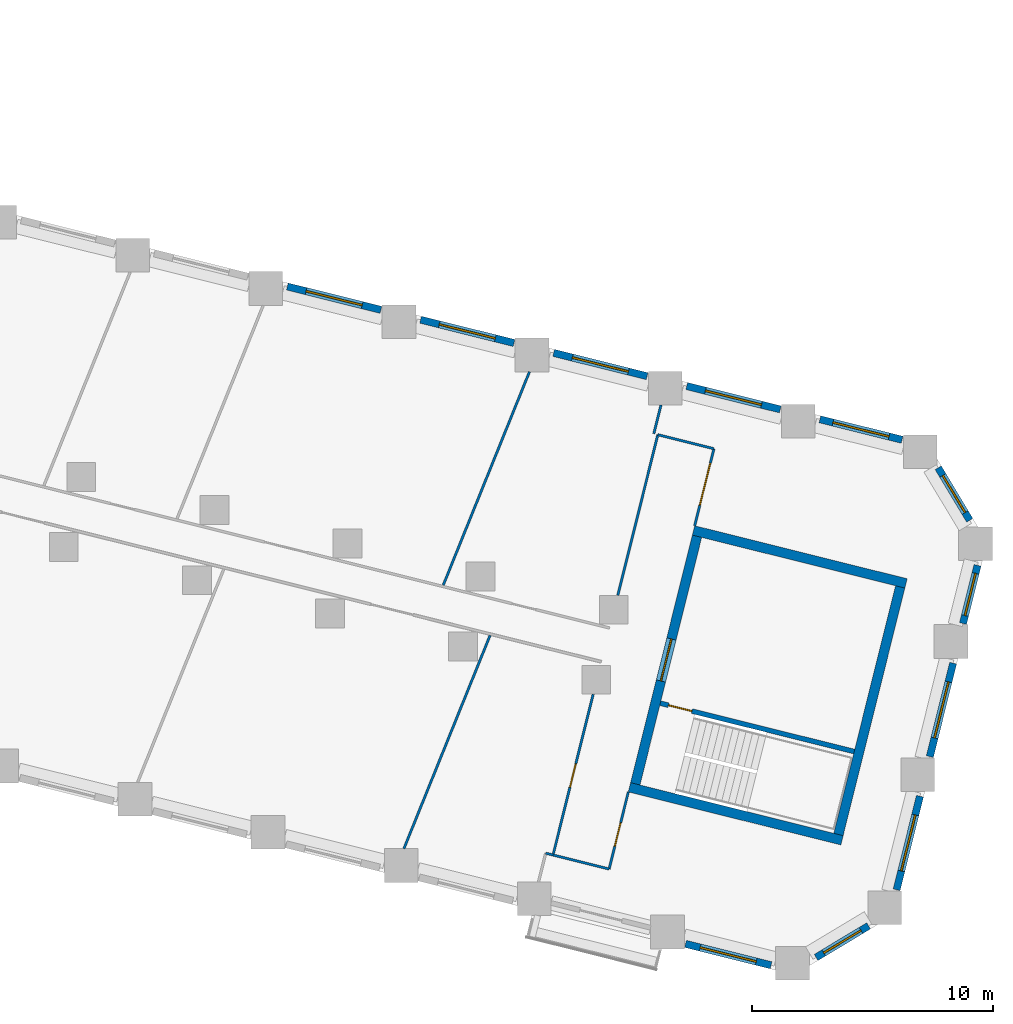
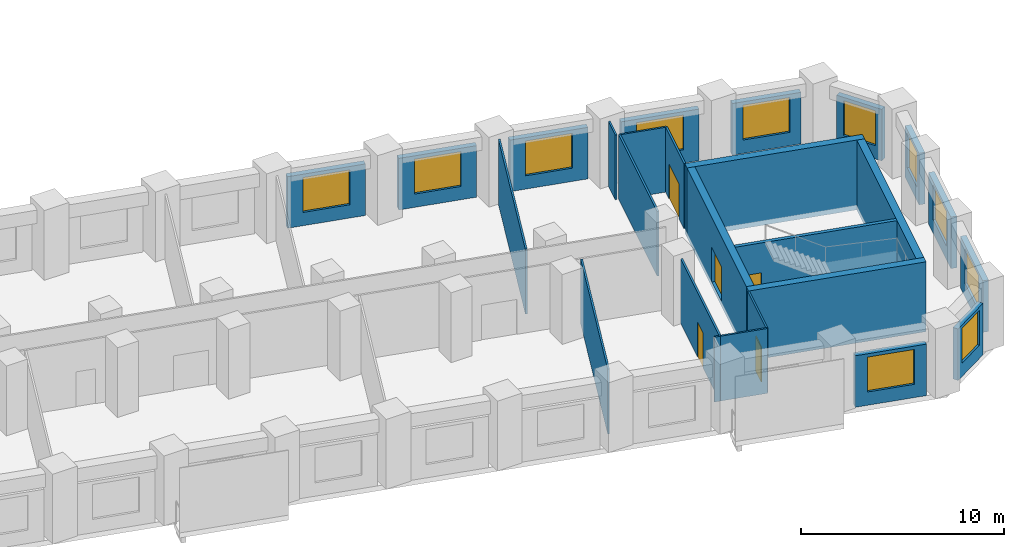
# One storey, part 7 of 11: 26 walls, 11 windows, 5 doors, 16 openings.
"""IFC4 building model written with IfcOpenShell, lengths in metres."""

from ifc_helpers import new_model, si_unit, direction, frame, frame_2d, origin, place, context, subcontext, project, spatial, rectangle, extrude, material, layer, layer_set, type_object, element, fill, save


model = new_model("IFC4")

# Units and contexts
model_context = context("Model", 3, precision=1e-05, world=origin(), true_north=direction((0.0, 1.0)))
body_context = subcontext(model_context, "Body", "Model", "MODEL_VIEW")
ifc_project = project(units=[si_unit("LENGTHUNIT", "METRE"), si_unit("AREAUNIT", "SQUARE_METRE"), si_unit("VOLUMEUNIT", "CUBIC_METRE"), si_unit("PLANEANGLEUNIT", "RADIAN"), si_unit("MASSUNIT", "GRAM", prefix="KILO")], contexts=[model_context])

# Site, building, storey
site_placement = place(None, origin())
site = spatial("IfcSite", under=ifc_project, at=site_placement, CompositionType="ELEMENT")
building_placement = place(site_placement, origin())
building = spatial("IfcBuilding", under=site, at=building_placement, Name="Meshkara Civic Tower", CompositionType="ELEMENT")
storey_placement = place(building_placement, frame((0.0, 0.0, 37.199951171875)))
storey = spatial("IfcBuildingStorey", under=building, at=storey_placement, Name="L07", CompositionType="ELEMENT", Elevation=37.199951171875)

# Wall
ifc_material_1 = material(Name="Corridor wall 100")
ifc_layer_1 = layer(ifc_material_1, 0.10009765625)
ifc_layer_set_1 = layer_set([ifc_layer_1], Name="Corridor wall 100")
wall_type_1 = type_object("IfcWallType", Name="Corridor wall 100", PredefinedType="PARTITIONING", material=ifc_layer_set_1)
wall_1_placement = place(storey_placement, frame((72.93603515625, -15.7109375, 0.0), z_axis=(0.0, 0.0, 1.0), x_axis=(0.970232217337, -0.242176473756, 0.0)))
element("IfcWall", 1, at=wall_1_placement, inside=storey, type_object=wall_type_1, Name="L07-W025", PredefinedType="PARTITIONING", context=body_context, shape_type="SweptSolid", body=[
    extrude(rectangle(XDim=2.3994140625, YDim=0.10009765625, at=frame_2d((1.19970703125, 0.0))), origin(), (0.0, 0.0, 1.0), 3.900146484375),
])

# Wall, opening, door
wall_2_placement = place(storey_placement, frame((74.60205078125, -9.029052734375, 0.0), z_axis=(0.0, 0.0, 1.0), x_axis=(-0.241926631527, -0.970294545465, 0.0)))
wall_2 = element("IfcWall", 2, at=wall_2_placement, inside=storey, type_object=wall_type_1, Name="L07-W026", PredefinedType="PARTITIONING", context=body_context, shape_type="SweptSolid", body=[
    extrude(rectangle(XDim=6.886474609375, YDim=0.10009765625, at=frame_2d((3.443359375, 0.0))), origin(), (0.0, 0.0, 1.0), 3.900146484375),
])
opening_1_placement = place(wall_2_placement, frame((2.97998046875, 0.0, 0.0)))
opening_1 = element("IfcOpeningElement", 3, at=opening_1_placement, cuts=wall_2, Name="Opening L07-D001", PredefinedType="OPENING", context=body_context, shape_type="SweptSolid", body=[
    extrude(rectangle(XDim=1.0, YDim=2.10009765625, at=frame_2d((0.5, 1.050048828125))), frame((0.0, 0.06005859375, 0.0), z_axis=(0.0, -1.0, 0.0), x_axis=(1.0, 0.0, 0.0)), (0.0, 0.0, 1.0), 0.1201171875),
])
ifc_material_2 = material(Name="Door 1000 x 2100")
door_type_1 = type_object("IfcDoorType", Name="Door 1000 x 2100", OperationType="SINGLE_SWING_LEFT", PredefinedType="DOOR", material=ifc_material_2)
door_1_placement = place(opening_1_placement, origin())
door_1 = element("IfcDoor", 4, at=door_1_placement, inside=storey, type_object=door_type_1, Name="L07-D001", OperationType="SINGLE_SWING_LEFT", OverallHeight=2.10009765625, OverallWidth=1.0, PredefinedType="DOOR", context=body_context, shape_type="SweptSolid", body=[
    extrude(rectangle(XDim=1.0, YDim=2.10009765625, at=frame_2d((0.5, 1.050048828125))), frame((0.0, 0.02490234375, 0.0), z_axis=(0.0, -1.0, 0.0), x_axis=(1.0, 0.0, 0.0)), (0.0, 0.0, 1.0), 0.050048828125),
])
fill(opening_1, door_1)

wall_3_placement = place(storey_placement, frame((75.263916015625, -16.2919921875, 0.0), z_axis=(0.0, 0.0, 1.0), x_axis=(0.242135244173, 0.970242507587, 0.0)))
wall_3 = element("IfcWall", 5, at=wall_3_placement, inside=storey, type_object=wall_type_1, Name="L07-W027", PredefinedType="PARTITIONING", context=body_context, shape_type="SweptSolid", body=[
    extrude(rectangle(XDim=3.300048828125, YDim=0.10009765625, at=frame_2d((1.64990234375, 0.0))), origin(), (0.0, 0.0, 1.0), 3.900146484375),
])
opening_2_placement = place(wall_3_placement, frame((0.97998046875, 0.0, 0.0)))
opening_2 = element("IfcOpeningElement", 6, at=opening_2_placement, cuts=wall_3, Name="Opening L07-D002", PredefinedType="OPENING", context=body_context, shape_type="SweptSolid", body=[
    extrude(rectangle(XDim=1.0, YDim=2.10009765625, at=frame_2d((0.5, 1.050048828125))), frame((0.0, 0.06005859375, 0.0), z_axis=(0.0, -1.0, 0.0), x_axis=(1.0, 0.0, 0.0)), (0.0, 0.0, 1.0), 0.1201171875),
])
door_2_placement = place(opening_2_placement, origin())
door_2 = element("IfcDoor", 7, at=door_2_placement, inside=storey, type_object=door_type_1, Name="L07-D002", OperationType="SINGLE_SWING_RIGHT", OverallHeight=2.10009765625, OverallWidth=1.0, PredefinedType="DOOR", context=body_context, shape_type="SweptSolid", body=[
    extrude(rectangle(XDim=1.0, YDim=2.10009765625, at=frame_2d((0.5, 1.050048828125))), frame((0.0, 0.02490234375, 0.0), z_axis=(0.0, -1.0, 0.0), x_axis=(1.0, 0.0, 0.0)), (0.0, 0.0, 1.0), 0.050048828125),
])
fill(opening_2, door_2)

# Wall
wall_4_placement = place(storey_placement, frame((77.2900390625, 1.75390625, 0.0), z_axis=(0.0, 0.0, 1.0), x_axis=(-0.241867218289, -0.970309357224, 0.0)))
element("IfcWall", 8, at=wall_4_placement, inside=storey, type_object=wall_type_1, Name="L07-W028", PredefinedType="PARTITIONING", context=body_context, shape_type="SweptSolid", body=[
    extrude(rectangle(XDim=6.8759765625, YDim=0.10009765625, at=frame_2d((3.43798828125, 0.0))), origin(), (0.0, 0.0, 1.0), 3.900146484375),
])

# Wall, opening, door
wall_5_placement = place(storey_placement, frame((78.821044921875, -2.029052734375, 0.0), z_axis=(0.0, 0.0, 1.0), x_axis=(0.241769629392, 0.970333677816, 0.0)))
wall_5 = element("IfcWall", 9, at=wall_5_placement, inside=storey, type_object=wall_type_1, Name="L07-W029", PredefinedType="PARTITIONING", context=body_context, shape_type="SweptSolid", body=[
    extrude(rectangle(XDim=3.300048828125, YDim=0.10009765625, at=frame_2d((1.64990234375, 0.0))), origin(), (0.0, 0.0, 1.0), 3.900146484375),
])
opening_3_placement = place(wall_5_placement, frame((0.8798828125, 0.0, 0.0)))
opening_3 = element("IfcOpeningElement", 10, at=opening_3_placement, cuts=wall_5, Name="Opening L07-D009", PredefinedType="OPENING", context=body_context, shape_type="SweptSolid", body=[
    extrude(rectangle(XDim=1.800048828125, YDim=2.10009765625, at=frame_2d((0.89990234375, 1.050048828125))), frame((0.0, 0.06005859375, 0.0), z_axis=(0.0, -1.0, 0.0), x_axis=(1.0, 0.0, 0.0)), (0.0, 0.0, 1.0), 0.1201171875),
])
ifc_material_3 = material(Name="Door pair 1800 x 2100")
door_type_2 = type_object("IfcDoorType", Name="Door pair 1800 x 2100", OperationType="SINGLE_SWING_LEFT", PredefinedType="DOOR", material=ifc_material_3)
door_3_placement = place(opening_3_placement, origin())
door_3 = element("IfcDoor", 11, at=door_3_placement, inside=storey, type_object=door_type_2, Name="L07-D009", OperationType="DOUBLE_DOOR_SINGLE_SWING", OverallHeight=2.10009765625, OverallWidth=1.800048828125, PredefinedType="DOOR", context=body_context, shape_type="SweptSolid", body=[
    extrude(rectangle(XDim=1.800048828125, YDim=2.10009765625, at=frame_2d((0.89990234375, 1.050048828125))), frame((0.0, 0.02490234375, 0.0), z_axis=(0.0, -1.0, 0.0), x_axis=(1.0, 0.0, 0.0)), (0.0, 0.0, 1.0), 0.050048828125),
])
fill(opening_3, door_3)

# Wall
wall_6_placement = place(storey_placement, frame((79.618896484375, 1.173095703125, 0.0), z_axis=(0.0, 0.0, 1.0), x_axis=(-0.970279961304, 0.241985116673, 0.0)))
element("IfcWall", 12, at=wall_6_placement, inside=storey, type_object=wall_type_1, Name="L07-W030", PredefinedType="PARTITIONING", context=body_context, shape_type="SweptSolid", body=[
    extrude(rectangle(XDim=2.400146484375, YDim=0.10009765625, at=frame_2d((1.2001953125, 0.0))), origin(), (0.0, 0.0, 1.0), 3.900146484375),
])

# Wall, opening, window
ifc_material_4 = material(Name="Insulated infill panel with bronze anodised aluminium cladding", Category="aluminium")
ifc_layer_2 = layer(ifc_material_4, 0.300048828125)
ifc_layer_set_2 = layer_set([ifc_layer_2], Name="EXTERNAL INFILL WALL 300")
wall_type_2 = type_object("IfcWallType", Name="EXTERNAL INFILL WALL 300", PredefinedType="SOLIDWALL", material=ifc_layer_set_2)
wall_7_placement = place(storey_placement, frame((87.43505859375, 1.54296875, 0.0), z_axis=(0.0, 0.0, 1.0), x_axis=(-0.970289298425, 0.241947674843, 0.0)))
wall_7 = element("IfcWall", 13, at=wall_7_placement, inside=storey, type_object=wall_type_2, Name="External wall", PredefinedType="SOLIDWALL", context=body_context, shape_type="SweptSolid", body=[
    extrude(rectangle(XDim=3.517578125, YDim=0.300048828125, at=frame_2d((1.7587890625, 0.0))), origin(), (0.0, 0.0, 1.0), 3.10009765625),
])
opening_4_placement = place(wall_7_placement, frame((0.55908203125, 0.0, 0.800048828125)))
opening_4 = element("IfcOpeningElement", 14, at=opening_4_placement, cuts=wall_7, Name="Opening W7", PredefinedType="OPENING", context=body_context, shape_type="SweptSolid", body=[
    extrude(rectangle(XDim=2.39990234375, YDim=2.10009765625, at=frame_2d((1.199951171875, 1.050048828125))), frame((0.0, 0.159912109375, 0.0), z_axis=(0.0, -1.0, 0.0), x_axis=(1.0, 0.0, 0.0)), (0.0, 0.0, 1.0), 0.320068359375),
])
ifc_material_5 = material(Name="Tinted double glazing", Category="glass")
window_type_1 = type_object("IfcWindowType", Name="WINDOW 2400x2100", PartitioningType="DOUBLE_PANEL_VERTICAL", PredefinedType="WINDOW", material=ifc_material_5)
window_1_placement = place(opening_4_placement, origin())
window_1 = element("IfcWindow", 15, at=window_1_placement, inside=storey, type_object=window_type_1, Name="Window", OverallHeight=2.10009765625, OverallWidth=2.39990234375, PartitioningType="DOUBLE_PANEL_VERTICAL", PredefinedType="WINDOW", context=body_context, shape_type="SweptSolid", body=[
    extrude(rectangle(XDim=2.39990234375, YDim=2.10009765625, at=frame_2d((1.199951171875, 1.050048828125))), frame((0.0, 0.030029296875, 0.0), z_axis=(0.0, -1.0, 0.0), x_axis=(1.0, 0.0, 0.0)), (0.0, 0.0, 1.0), 0.06005859375),
])
fill(opening_4, window_1)

wall_8_placement = place(storey_placement, frame((82.375, 2.804931640625, 0.0), z_axis=(0.0, 0.0, 1.0), x_axis=(-0.970318045095, 0.24183236211, 0.0)))
wall_8 = element("IfcWall", 16, at=wall_8_placement, inside=storey, type_object=wall_type_2, Name="External wall", PredefinedType="SOLIDWALL", context=body_context, shape_type="SweptSolid", body=[
    extrude(rectangle(XDim=4.0029296875, YDim=0.300048828125, at=frame_2d((2.00146484375, 0.0))), origin(), (0.0, 0.0, 1.0), 3.10009765625),
])
opening_5_placement = place(wall_8_placement, frame((0.802001953125, 0.0, 0.800048828125)))
opening_5 = element("IfcOpeningElement", 17, at=opening_5_placement, cuts=wall_8, Name="Opening W7", PredefinedType="OPENING", context=body_context, shape_type="SweptSolid", body=[
    extrude(rectangle(XDim=2.39990234375, YDim=2.10009765625, at=frame_2d((1.199951171875, 1.050048828125))), frame((0.0, 0.159912109375, 0.0), z_axis=(0.0, -1.0, 0.0), x_axis=(1.0, 0.0, 0.0)), (0.0, 0.0, 1.0), 0.320068359375),
])
window_2_placement = place(opening_5_placement, origin())
window_2 = element("IfcWindow", 18, at=window_2_placement, inside=storey, type_object=window_type_1, Name="Window", OverallHeight=2.10009765625, OverallWidth=2.39990234375, PartitioningType="DOUBLE_PANEL_VERTICAL", PredefinedType="WINDOW", context=body_context, shape_type="SweptSolid", body=[
    extrude(rectangle(XDim=2.39990234375, YDim=2.10009765625, at=frame_2d((1.199951171875, 1.050048828125))), frame((0.0, 0.030029296875, 0.0), z_axis=(0.0, -1.0, 0.0), x_axis=(1.0, 0.0, 0.0)), (0.0, 0.0, 1.0), 0.06005859375),
])
fill(opening_5, window_2)

wall_9_placement = place(storey_placement, frame((76.843994140625, 4.18408203125, 0.0), z_axis=(0.0, 0.0, 1.0), x_axis=(-0.970303772127, 0.241889623168, 0.0)))
wall_9 = element("IfcWall", 19, at=wall_9_placement, inside=storey, type_object=wall_type_2, Name="External wall", PredefinedType="SOLIDWALL", context=body_context, shape_type="SweptSolid", body=[
    extrude(rectangle(XDim=4.001953125, YDim=0.300048828125, at=frame_2d((2.0009765625, 0.0))), origin(), (0.0, 0.0, 1.0), 3.10009765625),
])
opening_6_placement = place(wall_9_placement, frame((0.801025390625, 0.0, 0.800048828125)))
opening_6 = element("IfcOpeningElement", 20, at=opening_6_placement, cuts=wall_9, Name="Opening W7", PredefinedType="OPENING", context=body_context, shape_type="SweptSolid", body=[
    extrude(rectangle(XDim=2.39990234375, YDim=2.10009765625, at=frame_2d((1.199951171875, 1.050048828125))), frame((0.0, 0.159912109375, 0.0), z_axis=(0.0, -1.0, 0.0), x_axis=(1.0, 0.0, 0.0)), (0.0, 0.0, 1.0), 0.320068359375),
])
window_3_placement = place(opening_6_placement, origin())
window_3 = element("IfcWindow", 21, at=window_3_placement, inside=storey, type_object=window_type_1, Name="Window", OverallHeight=2.10009765625, OverallWidth=2.39990234375, PartitioningType="DOUBLE_PANEL_VERTICAL", PredefinedType="WINDOW", context=body_context, shape_type="SweptSolid", body=[
    extrude(rectangle(XDim=2.39990234375, YDim=2.10009765625, at=frame_2d((1.199951171875, 1.050048828125))), frame((0.0, 0.030029296875, 0.0), z_axis=(0.0, -1.0, 0.0), x_axis=(1.0, 0.0, 0.0)), (0.0, 0.0, 1.0), 0.06005859375),
])
fill(opening_6, window_3)

wall_10_placement = place(storey_placement, frame((71.31396484375, 5.56298828125, 0.0), z_axis=(0.0, 0.0, 1.0), x_axis=(-0.970318045095, 0.24183236211, 0.0)))
wall_10 = element("IfcWall", 22, at=wall_10_placement, inside=storey, type_object=wall_type_2, Name="External wall", PredefinedType="SOLIDWALL", context=body_context, shape_type="SweptSolid", body=[
    extrude(rectangle(XDim=4.0029296875, YDim=0.300048828125, at=frame_2d((2.00146484375, 0.0))), origin(), (0.0, 0.0, 1.0), 3.10009765625),
])
opening_7_placement = place(wall_10_placement, frame((0.802001953125, 0.0, 0.800048828125)))
opening_7 = element("IfcOpeningElement", 23, at=opening_7_placement, cuts=wall_10, Name="Opening W7", PredefinedType="OPENING", context=body_context, shape_type="SweptSolid", body=[
    extrude(rectangle(XDim=2.39990234375, YDim=2.10009765625, at=frame_2d((1.199951171875, 1.050048828125))), frame((0.0, 0.159912109375, 0.0), z_axis=(0.0, -1.0, 0.0), x_axis=(1.0, 0.0, 0.0)), (0.0, 0.0, 1.0), 0.320068359375),
])
window_4_placement = place(opening_7_placement, origin())
window_4 = element("IfcWindow", 24, at=window_4_placement, inside=storey, type_object=window_type_1, Name="Window", OverallHeight=2.10009765625, OverallWidth=2.39990234375, PartitioningType="DOUBLE_PANEL_VERTICAL", PredefinedType="WINDOW", context=body_context, shape_type="SweptSolid", body=[
    extrude(rectangle(XDim=2.39990234375, YDim=2.10009765625, at=frame_2d((1.199951171875, 1.050048828125))), frame((0.0, 0.030029296875, 0.0), z_axis=(0.0, -1.0, 0.0), x_axis=(1.0, 0.0, 0.0)), (0.0, 0.0, 1.0), 0.06005859375),
])
fill(opening_7, window_4)

wall_11_placement = place(storey_placement, frame((65.782958984375, 6.94189453125, 0.0), z_axis=(0.0, 0.0, 1.0), x_axis=(-0.970318045095, 0.24183236211, 0.0)))
wall_11 = element("IfcWall", 25, at=wall_11_placement, inside=storey, type_object=wall_type_2, Name="External wall", PredefinedType="SOLIDWALL", context=body_context, shape_type="SweptSolid", body=[
    extrude(rectangle(XDim=4.0029296875, YDim=0.300048828125, at=frame_2d((2.00146484375, 0.0))), origin(), (0.0, 0.0, 1.0), 3.10009765625),
])
opening_8_placement = place(wall_11_placement, frame((0.802001953125, 0.0, 0.800048828125)))
opening_8 = element("IfcOpeningElement", 26, at=opening_8_placement, cuts=wall_11, Name="Opening W7", PredefinedType="OPENING", context=body_context, shape_type="SweptSolid", body=[
    extrude(rectangle(XDim=2.39990234375, YDim=2.10009765625, at=frame_2d((1.199951171875, 1.050048828125))), frame((0.0, 0.159912109375, 0.0), z_axis=(0.0, -1.0, 0.0), x_axis=(1.0, 0.0, 0.0)), (0.0, 0.0, 1.0), 0.320068359375),
])
window_5_placement = place(opening_8_placement, origin())
window_5 = element("IfcWindow", 27, at=window_5_placement, inside=storey, type_object=window_type_1, Name="Window", OverallHeight=2.10009765625, OverallWidth=2.39990234375, PartitioningType="DOUBLE_PANEL_VERTICAL", PredefinedType="WINDOW", context=body_context, shape_type="SweptSolid", body=[
    extrude(rectangle(XDim=2.39990234375, YDim=2.10009765625, at=frame_2d((1.199951171875, 1.050048828125))), frame((0.0, 0.030029296875, 0.0), z_axis=(0.0, -1.0, 0.0), x_axis=(1.0, 0.0, 0.0)), (0.0, 0.0, 1.0), 0.06005859375),
])
fill(opening_8, window_5)

wall_12_placement = place(storey_placement, frame((78.43994140625, -19.402099609375, 0.0), z_axis=(0.0, 0.0, 1.0), x_axis=(0.970271818873, -0.24201776278, 0.0)))
wall_12 = element("IfcWall", 28, at=wall_12_placement, inside=storey, type_object=wall_type_2, Name="External wall", PredefinedType="SOLIDWALL", context=body_context, shape_type="SweptSolid", body=[
    extrude(rectangle(XDim=3.660888671875, YDim=0.300048828125, at=frame_2d((1.83056640625, 0.0))), origin(), (0.0, 0.0, 1.0), 3.10009765625),
])
opening_9_placement = place(wall_12_placement, frame((0.6298828125, 0.0, 0.800048828125)))
opening_9 = element("IfcOpeningElement", 29, at=opening_9_placement, cuts=wall_12, Name="Opening W7", PredefinedType="OPENING", context=body_context, shape_type="SweptSolid", body=[
    extrude(rectangle(XDim=2.39990234375, YDim=2.10009765625, at=frame_2d((1.199951171875, 1.050048828125))), frame((0.0, 0.159912109375, 0.0), z_axis=(0.0, -1.0, 0.0), x_axis=(1.0, 0.0, 0.0)), (0.0, 0.0, 1.0), 0.320068359375),
])
window_6_placement = place(opening_9_placement, origin())
window_6 = element("IfcWindow", 30, at=window_6_placement, inside=storey, type_object=window_type_1, Name="Window", OverallHeight=2.10009765625, OverallWidth=2.39990234375, PartitioningType="DOUBLE_PANEL_VERTICAL", PredefinedType="WINDOW", context=body_context, shape_type="SweptSolid", body=[
    extrude(rectangle(XDim=2.39990234375, YDim=2.10009765625, at=frame_2d((1.199951171875, 1.050048828125))), frame((0.0, 0.030029296875, 0.0), z_axis=(0.0, -1.0, 0.0), x_axis=(1.0, 0.0, 0.0)), (0.0, 0.0, 1.0), 0.06005859375),
])
fill(opening_9, window_6)

wall_13_placement = place(storey_placement, frame((83.865966796875, -19.965087890625, 0.0), z_axis=(0.0, 0.0, 1.0), x_axis=(0.857026568426, 0.515272220299, 0.0)))
wall_13 = element("IfcWall", 31, at=wall_13_placement, inside=storey, type_object=wall_type_2, Name="External wall", PredefinedType="SOLIDWALL", context=body_context, shape_type="SweptSolid", body=[
    extrude(rectangle(XDim=2.54248046875, YDim=0.300048828125, at=frame_2d((1.271240234375, 0.0))), origin(), (0.0, 0.0, 1.0), 3.10009765625),
])
opening_10_placement = place(wall_13_placement, frame((0.37109375, 0.0, 0.800048828125)))
opening_10 = element("IfcOpeningElement", 32, at=opening_10_placement, cuts=wall_13, Name="Opening W9", PredefinedType="OPENING", context=body_context, shape_type="SweptSolid", body=[
    extrude(rectangle(XDim=1.800048828125, YDim=2.10009765625, at=frame_2d((0.89990234375, 1.050048828125))), frame((0.0, 0.159912109375, 0.0), z_axis=(0.0, -1.0, 0.0), x_axis=(1.0, 0.0, 0.0)), (0.0, 0.0, 1.0), 0.320068359375),
])
ifc_material_6 = material(Name="Tinted double glazing", Category="glass")
window_type_2 = type_object("IfcWindowType", Name="WINDOW 1800x2100", PartitioningType="DOUBLE_PANEL_VERTICAL", PredefinedType="WINDOW", material=ifc_material_6)
window_7_placement = place(opening_10_placement, origin())
window_7 = element("IfcWindow", 33, at=window_7_placement, inside=storey, type_object=window_type_2, Name="Window", OverallHeight=2.10009765625, OverallWidth=1.800048828125, PartitioningType="DOUBLE_PANEL_VERTICAL", PredefinedType="WINDOW", context=body_context, shape_type="SweptSolid", body=[
    extrude(rectangle(XDim=1.800048828125, YDim=2.10009765625, at=frame_2d((0.89990234375, 1.050048828125))), frame((0.0, 0.030029296875, 0.0), z_axis=(0.0, -1.0, 0.0), x_axis=(1.0, 0.0, 0.0)), (0.0, 0.0, 1.0), 0.06005859375),
])
fill(opening_10, window_7)

wall_14_placement = place(storey_placement, frame((87.2109375, -17.152099609375, 0.0), z_axis=(0.0, 0.0, 1.0), x_axis=(0.24183236211, 0.970318045095, 0.0)))
wall_14 = element("IfcWall", 34, at=wall_14_placement, inside=storey, type_object=wall_type_2, Name="External wall", PredefinedType="SOLIDWALL", context=body_context, shape_type="SweptSolid", body=[
    extrude(rectangle(XDim=4.0029296875, YDim=0.300048828125, at=frame_2d((2.00146484375, 0.0))), origin(), (0.0, 0.0, 1.0), 3.10009765625),
])
opening_11_placement = place(wall_14_placement, frame((0.802001953125, 0.0, 0.800048828125)))
opening_11 = element("IfcOpeningElement", 35, at=opening_11_placement, cuts=wall_14, Name="Opening W7", PredefinedType="OPENING", context=body_context, shape_type="SweptSolid", body=[
    extrude(rectangle(XDim=2.39990234375, YDim=2.10009765625, at=frame_2d((1.199951171875, 1.050048828125))), frame((0.0, 0.159912109375, 0.0), z_axis=(0.0, -1.0, 0.0), x_axis=(1.0, 0.0, 0.0)), (0.0, 0.0, 1.0), 0.320068359375),
])
window_8_placement = place(opening_11_placement, origin())
window_8 = element("IfcWindow", 36, at=window_8_placement, inside=storey, type_object=window_type_1, Name="Window", OverallHeight=2.10009765625, OverallWidth=2.39990234375, PartitioningType="DOUBLE_PANEL_VERTICAL", PredefinedType="WINDOW", context=body_context, shape_type="SweptSolid", body=[
    extrude(rectangle(XDim=2.39990234375, YDim=2.10009765625, at=frame_2d((1.199951171875, 1.050048828125))), frame((0.0, 0.030029296875, 0.0), z_axis=(0.0, -1.0, 0.0), x_axis=(1.0, 0.0, 0.0)), (0.0, 0.0, 1.0), 0.06005859375),
])
fill(opening_11, window_8)

wall_15_placement = place(storey_placement, frame((88.590087890625, -11.62109375, 0.0), z_axis=(0.0, 0.0, 1.0), x_axis=(0.241889623168, 0.970303772127, 0.0)))
wall_15 = element("IfcWall", 37, at=wall_15_placement, inside=storey, type_object=wall_type_2, Name="External wall", PredefinedType="SOLIDWALL", context=body_context, shape_type="SweptSolid", body=[
    extrude(rectangle(XDim=4.001953125, YDim=0.300048828125, at=frame_2d((2.0009765625, 0.0))), origin(), (0.0, 0.0, 1.0), 3.10009765625),
])
opening_12_placement = place(wall_15_placement, frame((0.801025390625, 0.0, 0.800048828125)))
opening_12 = element("IfcOpeningElement", 38, at=opening_12_placement, cuts=wall_15, Name="Opening W7", PredefinedType="OPENING", context=body_context, shape_type="SweptSolid", body=[
    extrude(rectangle(XDim=2.39990234375, YDim=2.10009765625, at=frame_2d((1.199951171875, 1.050048828125))), frame((0.0, 0.159912109375, 0.0), z_axis=(0.0, -1.0, 0.0), x_axis=(1.0, 0.0, 0.0)), (0.0, 0.0, 1.0), 0.320068359375),
])
window_9_placement = place(opening_12_placement, origin())
window_9 = element("IfcWindow", 39, at=window_9_placement, inside=storey, type_object=window_type_1, Name="Window", OverallHeight=2.10009765625, OverallWidth=2.39990234375, PartitioningType="DOUBLE_PANEL_VERTICAL", PredefinedType="WINDOW", context=body_context, shape_type="SweptSolid", body=[
    extrude(rectangle(XDim=2.39990234375, YDim=2.10009765625, at=frame_2d((1.199951171875, 1.050048828125))), frame((0.0, 0.030029296875, 0.0), z_axis=(0.0, -1.0, 0.0), x_axis=(1.0, 0.0, 0.0)), (0.0, 0.0, 1.0), 0.06005859375),
])
fill(opening_12, window_9)

wall_16_placement = place(storey_placement, frame((89.968994140625, -6.091064453125, 0.0), z_axis=(0.0, 0.0, 1.0), x_axis=(0.241797277733, 0.9703267885, 0.0)))
wall_16 = element("IfcWall", 40, at=wall_16_placement, inside=storey, type_object=wall_type_2, Name="External wall", PredefinedType="SOLIDWALL", context=body_context, shape_type="SweptSolid", body=[
    extrude(rectangle(XDim=2.489990234375, YDim=0.300048828125, at=frame_2d((1.2451171875, 0.0))), origin(), (0.0, 0.0, 1.0), 3.10009765625),
])
opening_13_placement = place(wall_16_placement, frame((0.344970703125, 0.0, 0.800048828125)))
opening_13 = element("IfcOpeningElement", 41, at=opening_13_placement, cuts=wall_16, Name="Opening W9", PredefinedType="OPENING", context=body_context, shape_type="SweptSolid", body=[
    extrude(rectangle(XDim=1.800048828125, YDim=2.10009765625, at=frame_2d((0.89990234375, 1.050048828125))), frame((0.0, 0.159912109375, 0.0), z_axis=(0.0, -1.0, 0.0), x_axis=(1.0, 0.0, 0.0)), (0.0, 0.0, 1.0), 0.320068359375),
])
window_10_placement = place(opening_13_placement, origin())
window_10 = element("IfcWindow", 42, at=window_10_placement, inside=storey, type_object=window_type_2, Name="Window", OverallHeight=2.10009765625, OverallWidth=1.800048828125, PartitioningType="DOUBLE_PANEL_VERTICAL", PredefinedType="WINDOW", context=body_context, shape_type="SweptSolid", body=[
    extrude(rectangle(XDim=1.800048828125, YDim=2.10009765625, at=frame_2d((0.89990234375, 1.050048828125))), frame((0.0, 0.030029296875, 0.0), z_axis=(0.0, -1.0, 0.0), x_axis=(1.0, 0.0, 0.0)), (0.0, 0.0, 1.0), 0.06005859375),
])
fill(opening_13, window_10)

wall_17_placement = place(storey_placement, frame((90.248046875, -1.801025390625, 0.0), z_axis=(0.0, 0.0, 1.0), x_axis=(-0.515441886055, 0.856924536992, 0.0)))
wall_17 = element("IfcWall", 43, at=wall_17_placement, inside=storey, type_object=wall_type_2, Name="External wall", PredefinedType="SOLIDWALL", context=body_context, shape_type="SweptSolid", body=[
    extrude(rectangle(XDim=2.54150390625, YDim=0.300048828125, at=frame_2d((1.270751953125, 0.0))), origin(), (0.0, 0.0, 1.0), 3.10009765625),
])
opening_14_placement = place(wall_17_placement, frame((0.37109375, 0.0, 0.800048828125)))
opening_14 = element("IfcOpeningElement", 44, at=opening_14_placement, cuts=wall_17, Name="Opening W9", PredefinedType="OPENING", context=body_context, shape_type="SweptSolid", body=[
    extrude(rectangle(XDim=1.800048828125, YDim=2.10009765625, at=frame_2d((0.89990234375, 1.050048828125))), frame((0.0, 0.159912109375, 0.0), z_axis=(0.0, -1.0, 0.0), x_axis=(1.0, 0.0, 0.0)), (0.0, 0.0, 1.0), 0.320068359375),
])
window_11_placement = place(opening_14_placement, origin())
window_11 = element("IfcWindow", 45, at=window_11_placement, inside=storey, type_object=window_type_2, Name="Window", OverallHeight=2.10009765625, OverallWidth=1.800048828125, PartitioningType="DOUBLE_PANEL_VERTICAL", PredefinedType="WINDOW", context=body_context, shape_type="SweptSolid", body=[
    extrude(rectangle(XDim=1.800048828125, YDim=2.10009765625, at=frame_2d((0.89990234375, 1.050048828125))), frame((0.0, 0.030029296875, 0.0), z_axis=(0.0, -1.0, 0.0), x_axis=(1.0, 0.0, 0.0)), (0.0, 0.0, 1.0), 0.06005859375),
])
fill(opening_14, window_11)

# Walls
ifc_material_7 = material(Name="Concrete C80", Category="concrete")
ifc_layer_3 = layer(ifc_material_7, 0.39990234375)
ifc_layer_set_3 = layer_set([ifc_layer_3], Name="End core ring wall 400 C80")
wall_type_3 = type_object("IfcWallType", Name="End core ring wall 400 C80", PredefinedType="SHEAR", material=ifc_layer_set_3)
wall_18_placement = place(storey_placement, frame((76.111083984375, -12.89599609375, -0.300048828125), z_axis=(0.0, 0.0, 1.0), x_axis=(0.970311127573, -0.241860115992, 0.0)))
element("IfcWall", 46, at=wall_18_placement, inside=storey, type_object=wall_type_3, Name="L07-C031", PredefinedType="SHEAR", context=body_context, shape_type="SweptSolid", body=[
    extrude(rectangle(XDim=9.10009765625, YDim=0.39990234375, at=frame_2d((4.550048828125, 0.0))), origin(), (0.0, 0.0, 1.0), 4.2001953125),
])
wall_19_placement = place(storey_placement, frame((78.77197265625, -2.222900390625, -0.300048828125), z_axis=(0.0, 0.0, 1.0), x_axis=(0.970306400786, -0.241879078453, 0.0)))
element("IfcWall", 47, at=wall_19_placement, inside=storey, type_object=wall_type_3, Name="L07-C032", PredefinedType="SHEAR", context=body_context, shape_type="SweptSolid", body=[
    extrude(rectangle(XDim=9.100341796875, YDim=0.39990234375, at=frame_2d((4.55029296875, 0.0))), origin(), (0.0, 0.0, 1.0), 4.2001953125),
])

# Wall, opening, door
wall_20_placement = place(storey_placement, frame((76.35302734375, -12.75, -0.300048828125), z_axis=(0.0, 0.0, 1.0), x_axis=(0.241977390218, 0.970281888228, 0.0)))
wall_20 = element("IfcWall", 48, at=wall_20_placement, inside=storey, type_object=wall_type_3, Name="L07-C033", PredefinedType="SHEAR", context=body_context, shape_type="SweptSolid", body=[
    extrude(rectangle(XDim=10.599853515625, YDim=0.39990234375, at=frame_2d((5.2998046875, 0.0))), origin(), (0.0, 0.0, 1.0), 4.2001953125),
])
opening_15_placement = place(wall_20_placement, frame((4.39990234375, 0.0, 0.300048828125)))
opening_15 = element("IfcOpeningElement", 49, at=opening_15_placement, cuts=wall_20, Name="Opening L07-K202", PredefinedType="OPENING", context=body_context, shape_type="SweptSolid", body=[
    extrude(rectangle(XDim=1.800048828125, YDim=2.10009765625, at=frame_2d((0.89990234375, 1.050048828125))), frame((0.0, 0.2099609375, 0.0), z_axis=(0.0, -1.0, 0.0), x_axis=(1.0, 0.0, 0.0)), (0.0, 0.0, 1.0), 0.419921875),
])
ifc_material_8 = material(Name="Fire-rated door leaf in steel frame", Category="steel")
door_type_3 = type_object("IfcDoorType", Name="Core double door 1800 EI 60", OperationType="DOUBLE_DOOR_SINGLE_SWING", PredefinedType="DOOR", material=ifc_material_8)
door_4_placement = place(opening_15_placement, origin())
door_4 = element("IfcDoor", 50, at=door_4_placement, inside=storey, type_object=door_type_3, Name="L07-K202", OperationType="DOUBLE_DOOR_SINGLE_SWING", OverallHeight=2.10009765625, OverallWidth=1.800048828125, PredefinedType="DOOR", context=body_context, shape_type="SweptSolid", body=[
    extrude(rectangle(XDim=1.800048828125, YDim=2.10009765625, at=frame_2d((0.89990234375, 1.050048828125))), frame((0.0, 0.02490234375, 0.0), z_axis=(0.0, -1.0, 0.0), x_axis=(1.0, 0.0, 0.0)), (0.0, 0.0, 1.0), 0.050048828125),
])
fill(opening_15, door_4)

# Walls
wall_21_placement = place(storey_placement, frame((84.794921875, -14.85498046875, -0.300048828125), z_axis=(0.0, 0.0, 1.0), x_axis=(0.241890652548, 0.970303515509, 0.0)))
element("IfcWall", 51, at=wall_21_placement, inside=storey, type_object=wall_type_3, Name="L07-C034", PredefinedType="SHEAR", context=body_context, shape_type="SweptSolid", body=[
    extrude(rectangle(XDim=10.599609375, YDim=0.39990234375, at=frame_2d((5.2998046875, 0.0))), origin(), (0.0, 0.0, 1.0), 4.2001953125),
])
ifc_material_9 = material(Name="Partition 100")
ifc_layer_4 = layer(ifc_material_9, 0.10009765625)
ifc_layer_set_4 = layer_set([ifc_layer_4], Name="Partition 100")
wall_type_4 = type_object("IfcWallType", Name="Partition 100", PredefinedType="PARTITIONING", material=ifc_layer_set_4)
wall_22_placement = place(storey_placement, frame((66.738037109375, -15.447998046875, 0.0), z_axis=(0.0, 0.0, 1.0), x_axis=(0.374603697495, 0.92718502459, 0.0)))
element("IfcWall", 52, at=wall_22_placement, inside=storey, type_object=wall_type_4, Name="L07-W053", PredefinedType="PARTITIONING", context=body_context, shape_type="SweptSolid", body=[
    extrude(rectangle(XDim=9.556884765625, YDim=0.10009765625, at=frame_2d((4.7783203125, 0.0))), origin(), (0.0, 0.0, 1.0), 3.900146484375),
])
wall_23_placement = place(storey_placement, frame((68.375, -4.49609375, 0.0), z_axis=(0.0, 0.0, 1.0), x_axis=(0.374568209597, 0.927199361712, 0.0)))
element("IfcWall", 53, at=wall_23_placement, inside=storey, type_object=wall_type_4, Name="L07-W054", PredefinedType="PARTITIONING", context=body_context, shape_type="SweptSolid", body=[
    extrude(rectangle(XDim=9.557861328125, YDim=0.10009765625, at=frame_2d((4.77880859375, 0.0))), origin(), (0.0, 0.0, 1.0), 3.900146484375),
])
wall_24_placement = place(storey_placement, frame((72.6298828125, -15.635009765625, 0.0), z_axis=(0.0, 0.0, 1.0), x_axis=(0.970590389113, -0.240736986276, 0.0)))
element("IfcWall", 54, at=wall_24_placement, inside=storey, type_object=wall_type_4, Name="L07-W056", PredefinedType="PARTITIONING", context=body_context, shape_type="SweptSolid", body=[
    extrude(rectangle(XDim=0.3193359375, YDim=0.10009765625, at=frame_2d((0.15966796875, 0.0))), origin(), (0.0, 0.0, 1.0), 3.900146484375),
])
wall_25_placement = place(storey_placement, frame((77.1240234375, 1.794921875, 0.0), z_axis=(0.0, 0.0, 1.0), x_axis=(0.241647114831, 0.970364195493, 0.0)))
element("IfcWall", 55, at=wall_25_placement, inside=storey, type_object=wall_type_4, Name="L07-W057", PredefinedType="PARTITIONING", context=body_context, shape_type="SweptSolid", body=[
    extrude(rectangle(XDim=1.228515625, YDim=0.10009765625, at=frame_2d((0.6142578125, 0.0))), origin(), (0.0, 0.0, 1.0), 3.900146484375),
])

# Wall, opening, door
ifc_material_10 = material(Name="Concrete C40/50", Category="concrete")
ifc_layer_5 = layer(ifc_material_10, 0.199951171875)
ifc_layer_set_5 = layer_set([ifc_layer_5], Name="Stair enclosure wall 200 C40/50")
wall_type_5 = type_object("IfcWallType", Name="Stair enclosure wall 200 C40/50", PredefinedType="SOLIDWALL", material=ifc_layer_set_5)
wall_26_placement = place(storey_placement, frame((77.39404296875, -9.403076171875, 0.0), z_axis=(0.0, 0.0, 1.0), x_axis=(0.970303192681, -0.241891947516, 0.0)))
wall_26 = element("IfcWall", 56, at=wall_26_placement, inside=storey, type_object=wall_type_5, Name="L07-C035", PredefinedType="SOLIDWALL", context=body_context, shape_type="SweptSolid", body=[
    extrude(rectangle(XDim=8.300537109375, YDim=0.199951171875, at=frame_2d((4.150390625, 0.0))), origin(), (0.0, 0.0, 1.0), 3.900146484375),
])
opening_16_placement = place(wall_26_placement, frame((0.35009765625, 0.0, 0.0)))
opening_16 = element("IfcOpeningElement", 57, at=opening_16_placement, cuts=wall_26, Name="Opening L07-K201", PredefinedType="OPENING", context=body_context, shape_type="SweptSolid", body=[
    extrude(rectangle(XDim=1.0, YDim=2.10009765625, at=frame_2d((0.5, 1.050048828125))), frame((0.0, 0.10986328125, 0.0), z_axis=(0.0, -1.0, 0.0), x_axis=(1.0, 0.0, 0.0)), (0.0, 0.0, 1.0), 0.219970703125),
])
ifc_material_11 = material(Name="Fire-rated door leaf in steel frame", Category="steel")
door_type_4 = type_object("IfcDoorType", Name="Stair door 1000 EI 120", OperationType="SINGLE_SWING_LEFT", PredefinedType="DOOR", material=ifc_material_11)
door_5_placement = place(opening_16_placement, origin())
door_5 = element("IfcDoor", 58, at=door_5_placement, inside=storey, type_object=door_type_4, Name="L07-K201", OperationType="SINGLE_SWING_LEFT", OverallHeight=2.10009765625, OverallWidth=1.0, PredefinedType="DOOR", context=body_context, shape_type="SweptSolid", body=[
    extrude(rectangle(XDim=1.0, YDim=2.10009765625, at=frame_2d((0.5, 1.050048828125))), frame((0.0, 0.02490234375, 0.0), z_axis=(0.0, -1.0, 0.0), x_axis=(1.0, 0.0, 0.0)), (0.0, 0.0, 1.0), 0.050048828125),
])
fill(opening_16, door_5)

save(model, "model.ifc")
